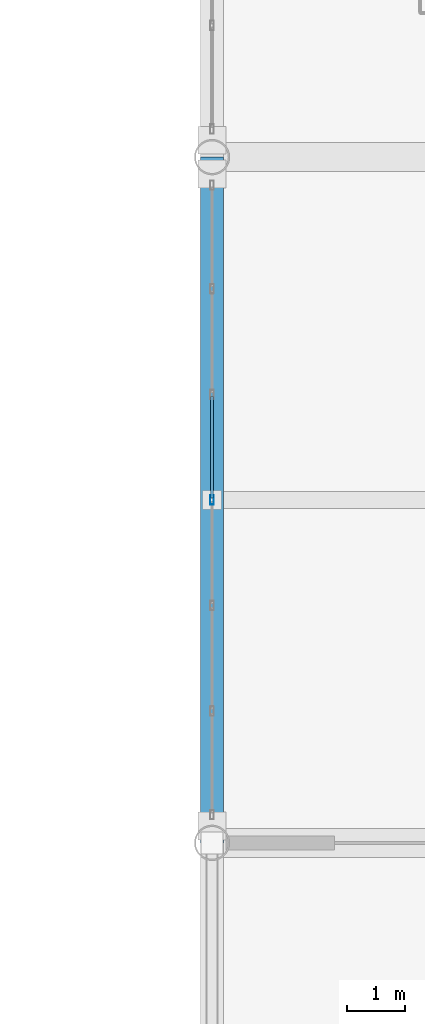
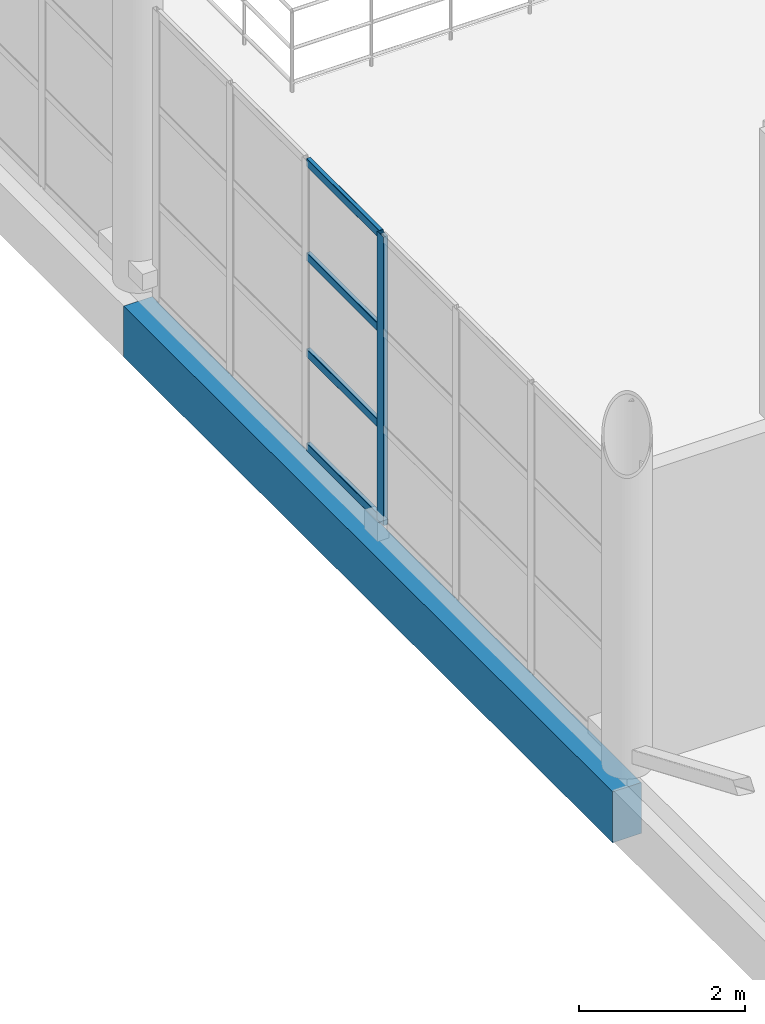
# One storey, part 50 of 175: 5 members, 1 beam, 1 element without a shape of its own.
"""IFC4 building model written with IfcOpenShell, lengths in metres."""

import ifcopenshell
import ifcopenshell.guid

model = None  # the IFC model being written
_history = None  # IfcOwnerHistory: only IFC2X3 demands one
_inside = {}  # id of a spatial element -> (the spatial element, [elements in it])
_under = {}  # id of a project, library or spatial element -> (it, [spatial elements below it])
_declared = {}  # id of a project -> (the project, [libraries it declares])
_typed = {}  # id of a type object -> (the type object, [elements of that type])
_made_of = {}  # id of a material, layer set ... -> (it, [elements and type objects made of it])


def new_model(schema):
    """Start an empty IFC model of exactly this schema.

    Asked for "IFC4X3", IfcOpenShell would pick the latest addendum, in which some entities
    have other attributes; the version numbers below select the first issue.
    IFC2X3 requires an IfcOwnerHistory on every rooted entity: one is made here for all.
    """
    global model, _history
    if schema == "IFC4X3":
        model = ifcopenshell.file(schema_version=(4, 3, 0, 0))
    else:
        model = ifcopenshell.file(schema=schema)
    _inside.clear()
    _under.clear()
    _declared.clear()
    _typed.clear()
    _made_of.clear()
    _history = None
    if model.schema == "IFC2X3":
        org = make("IfcOrganization", Name="unknown")
        user = make(
            "IfcPersonAndOrganization",
            ThePerson=make("IfcPerson", FamilyName="unknown"),
            TheOrganization=org,
        )
        app = make(
            "IfcApplication",
            ApplicationDeveloper=org,
            Version="unknown",
            ApplicationFullName="unknown",
            ApplicationIdentifier="unknown",
        )
        _history = make(
            "IfcOwnerHistory",
            OwningUser=user,
            OwningApplication=app,
            ChangeAction="ADDED",
            CreationDate=0,
        )
    return model


def make(cls, **values):
    """One entity of the class cls with the attributes given. An attribute that is None is left unset."""
    return model.create_entity(
        cls, **{name: value for name, value in values.items() if value is not None}
    )


def rooted(cls, **values):
    """An entity with a GlobalId (a new one), such as an element, a storey or a relation."""
    return make(cls, GlobalId=ifcopenshell.guid.new(), OwnerHistory=_history, **values)


def si_unit(unit_type, name, prefix=None):
    """IfcSIUnit, for example si_unit("LENGTHUNIT", "METRE", prefix="MILLI")."""
    return make("IfcSIUnit", UnitType=unit_type, Prefix=prefix, Name=name)


def assignment(units):
    """IfcUnitAssignment: the units of a project."""
    return None if units is None else make("IfcUnitAssignment", Units=units)


def point(xyz):
    """IfcCartesianPoint."""
    return None if xyz is None else make("IfcCartesianPoint", Coordinates=xyz)


def direction(xyz):
    """IfcDirection."""
    return None if xyz is None else make("IfcDirection", DirectionRatios=xyz)


def frame(location, z_axis=None, x_axis=None):
    """IfcAxis2Placement3D, a coordinate frame: its origin and axes. An axis left out is left unset."""
    return make(
        "IfcAxis2Placement3D",
        Location=point(location),
        Axis=direction(z_axis),
        RefDirection=direction(x_axis),
    )


def frame_2d(location, x_axis=None):
    """IfcAxis2Placement2D, a coordinate frame in the plane: its origin and x axis."""
    return make(
        "IfcAxis2Placement2D", Location=point(location), RefDirection=direction(x_axis)
    )


def origin():
    """The frame at (0, 0, 0) with its axes left unset."""
    return frame((0.0, 0.0, 0.0))


def origin_2d():
    """The frame at (0, 0) in the plane with its x axis left unset."""
    return frame_2d((0.0, 0.0))


def place(relative_to, where):
    """IfcLocalPlacement: puts the frame where relative to a parent placement (None: the world)."""
    return make(
        "IfcLocalPlacement", PlacementRelTo=relative_to, RelativePlacement=where
    )


def context(
    kind, dimensions, precision=None, world=None, true_north=None, identifier=None
):
    """IfcGeometricRepresentationContext, for example the 3D "Model" context."""
    return make(
        "IfcGeometricRepresentationContext",
        ContextIdentifier=identifier,
        ContextType=kind,
        CoordinateSpaceDimension=dimensions,
        Precision=precision,
        WorldCoordinateSystem=world,
        TrueNorth=true_north,
    )


def subcontext(parent, identifier, kind, view, scale=None):
    """IfcGeometricRepresentationSubContext, for example "Body" below "Model"."""
    return make(
        "IfcGeometricRepresentationSubContext",
        ContextIdentifier=identifier,
        ContextType=kind,
        ParentContext=parent,
        TargetScale=scale,
        TargetView=view,
    )


def project(units=None, contexts=None):
    """IfcProject with its units and contexts."""
    return rooted(
        "IfcProject",
        Name="project",
        RepresentationContexts=contexts,
        UnitsInContext=assignment(units),
    )


def spatial(cls, under=None, at=None, **own):
    """A site, building, storey or space (cls), placed at a placement, below another one or the project."""
    s = rooted(cls, ObjectPlacement=at, **own)
    if under is not None:
        _under.setdefault(under.id(), (under, []))[1].append(s)
    return s


def profile(cls, at=None, kind="AREA", **sizes):
    """A parametric profile (cls). Its sizes go by their IFC names, for example OverallWidth=200.0."""
    return make(cls, ProfileType=kind, Position=at, **sizes)


def rectangle(**sizes):
    """IfcRectangleProfileDef."""
    return profile("IfcRectangleProfileDef", **sizes)


def hollow_rectangle(**sizes):
    """IfcRectangleHollowProfileDef."""
    return profile("IfcRectangleHollowProfileDef", **sizes)


def extrude(swept, where, along, depth):
    """IfcExtrudedAreaSolid: the profile swept, set in the frame where, extruded along a direction by depth."""
    return make(
        "IfcExtrudedAreaSolid",
        SweptArea=swept,
        Position=where,
        ExtrudedDirection=direction(along),
        Depth=depth,
    )


def shape(context_of_items, identifier, shape_type, items):
    """IfcShapeRepresentation: the items that make up one representation, for example the "Body"."""
    return make(
        "IfcShapeRepresentation",
        ContextOfItems=context_of_items,
        RepresentationIdentifier=identifier,
        RepresentationType=shape_type,
        Items=items,
    )


def material(Name=None, Category=None):
    """IfcMaterial."""
    return make("IfcMaterial", Name=Name, Category=Category)


def material_profile(
    of_material, cross_section, Name=None, Category=None, Priority=None
):
    """IfcMaterialProfile: a cross section and its material."""
    return make(
        "IfcMaterialProfile",
        Name=Name,
        Material=of_material,
        Profile=cross_section,
        Priority=Priority,
        Category=Category,
    )


def profile_set(profiles, Name=None, composite=None):
    """IfcMaterialProfileSet."""
    return make(
        "IfcMaterialProfileSet",
        Name=Name,
        MaterialProfiles=profiles,
        CompositeProfile=composite,
    )


def made_of(thing, what):
    """Note that an element or type object is made of a material, layer set ...; save() writes the relation."""
    if what is not None:
        _made_of.setdefault(what.id(), (what, []))[1].append(thing)
    return thing


def type_object(cls, material=None, **own):
    """A type object (cls), such as IfcWallType, which elements share."""
    return made_of(rooted(cls, **own), material)


def element(
    cls,
    number,
    at=None,
    inside=None,
    cuts=None,
    type_object=None,
    material=None,
    context=None,
    identifier="Body",
    shape_type=None,
    held_by="IfcProductDefinitionShape",
    body=None,
    shapes=None,
    **own,
):
    """One element of the class cls, such as IfcWall. Its Tag is "e" and its number.

    at: its placement. inside: the storey or other place that contains it. cuts: it is an
    opening in that element (IfcRelVoidsElement). A single representation is given by context,
    identifier, shape_type and body (its items); several are given by shapes. held_by: the class
    of the entity that holds the representations. save() writes the other relations.
    """
    e = rooted(cls, Tag="e%d" % number, ObjectPlacement=at, **own)
    if body is not None:
        shapes = [shape(context, identifier, shape_type, body)]
    if shapes is not None:
        e.Representation = make(held_by, Representations=shapes)
    if inside is not None:
        _inside.setdefault(inside.id(), (inside, []))[1].append(e)
    if cuts is not None:
        rooted(
            "IfcRelVoidsElement", RelatingBuildingElement=cuts, RelatedOpeningElement=e
        )
    if type_object is not None:
        _typed.setdefault(type_object.id(), (type_object, []))[1].append(e)
    return made_of(e, material)


def aggregate(whole, parts):
    """IfcRelAggregates: a whole, such as a stair, and the parts it consists of."""
    return rooted("IfcRelAggregates", RelatingObject=whole, RelatedObjects=parts)


def save(model, path):
    """Write the relations noted so far, then the file.

    IfcRelAggregates (storeys below a building ...), IfcRelContainedInSpatialStructure (elements
    in a storey), IfcRelDefinesByType, IfcRelAssociatesMaterial and IfcRelDeclares: one each for
    every whole, place, type object, material and project.
    """
    for whole, parts in _under.values():
        aggregate(whole, parts)
    for where, things in _inside.values():
        rooted(
            "IfcRelContainedInSpatialStructure",
            RelatedElements=things,
            RelatingStructure=where,
        )
    for kind, things in _typed.values():
        rooted("IfcRelDefinesByType", RelatedObjects=things, RelatingType=kind)
    for what, things in _made_of.values():
        rooted("IfcRelAssociatesMaterial", RelatedObjects=things, RelatingMaterial=what)
    for by, libraries in _declared.values():
        rooted("IfcRelDeclares", RelatingContext=by, RelatedDefinitions=libraries)
    model.write(path)


model = new_model("IFC4")

# Units and contexts
model_context = context("Model", 3, precision=1e-05, world=origin(), true_north=direction((0.0, 1.0)))
body_context = subcontext(model_context, "Body", "Model", "MODEL_VIEW")
ifc_project = project(units=[si_unit("LENGTHUNIT", "METRE"), si_unit("AREAUNIT", "SQUARE_METRE"), si_unit("VOLUMEUNIT", "CUBIC_METRE"), si_unit("PLANEANGLEUNIT", "RADIAN"), si_unit("MASSUNIT", "GRAM", prefix="KILO")], contexts=[model_context])

# Site, building, storey
site_placement = place(None, origin())
site = spatial("IfcSite", under=ifc_project, at=site_placement, CompositionType="ELEMENT")
building_placement = place(site_placement, origin())
building = spatial("IfcBuilding", under=site, at=building_placement, Name="Brelvane Convention Centre", CompositionType="ELEMENT")
storey_placement = place(building_placement, frame((0.0, 0.0, 5.39990234375)))
storey = spatial("IfcBuildingStorey", under=building, at=storey_placement, Name="L01", CompositionType="ELEMENT", Elevation=5.39990234375)

# Curtain wall, members
ifc_material_1 = material(Name="Anodised Aluminium Alloy 6063-T6", Category="aluminium")
curtain_wall_type = type_object("IfcCurtainWallType", Name="Curtain Wall CW-CONC", PredefinedType="USERDEFINED", material=ifc_material_1)
curtain_wall_placement = place(storey_placement, origin())
curtain_wall = element("IfcCurtainWall", 1, at=curtain_wall_placement, inside=storey, type_object=curtain_wall_type, Name="Curtain Wall CW-CONC L01-GAL-ATRIUM-W-1", ObjectType="UNITISED", PredefinedType="USERDEFINED")
ifc_material_2 = material(Name="Anodised Aluminium Alloy 6063-T6", Category="aluminium")
ifc_material_profile_1 = material_profile(ifc_material_2, hollow_rectangle(XDim=0.06494140625, YDim=0.159912109375, WallThickness=0.00390625, InnerFilletRadius=0.00390625, OuterFilletRadius=0.008056640625, at=origin_2d()), Name="ALU-M 160x65x4.0")
ifc_profile_set_1 = profile_set([ifc_material_profile_1], Name="Anodised Aluminium Alloy 6063-T6")
member_type_1 = type_object("IfcMemberType", Name="Curtain Mullion CW-M3", PredefinedType="MULLION", material=ifc_profile_set_1)
member_1_placement = place(storey_placement, frame((142.800048828125, 46.5, 0.0), z_axis=(0.0, 0.0, 1.0), x_axis=(-1.0, 0.0, 0.0)))
member_1 = element("IfcMember", 2, at=member_1_placement, type_object=member_type_1, Name="CW-CONC mullion 4", PredefinedType="MULLION", context=body_context, shape_type="SweptSolid", body=[
    extrude(hollow_rectangle(XDim=0.06494140625, YDim=0.159912109375, WallThickness=0.00390625, InnerFilletRadius=0.00390625, OuterFilletRadius=0.008056640625, at=origin_2d()), origin(), (0.0, 0.0, 1.0), 4.25),
])
ifc_material_3 = material(Name="Anodised Aluminium Alloy 6063-T6", Category="aluminium")
ifc_material_profile_2 = material_profile(ifc_material_3, hollow_rectangle(XDim=0.06005859375, YDim=0.1201171875, WallThickness=0.00390625, InnerFilletRadius=0.00390625, OuterFilletRadius=0.008056640625, at=origin_2d()), Name="ALU-T 120x60x4.0")
ifc_profile_set_2 = profile_set([ifc_material_profile_2], Name="Anodised Aluminium Alloy 6063-T6")
member_type_2 = type_object("IfcMemberType", Name="Curtain Transom CW-T3", PredefinedType="USERDEFINED", material=ifc_profile_set_2)
member_2_placement = place(storey_placement, frame((142.800048828125, 46.532470703125, 0.030029296875), z_axis=(0.0, 1.0, 0.0), x_axis=(-1.0, 0.0, 0.0)))
member_2 = element("IfcMember", 3, at=member_2_placement, type_object=member_type_2, Name="CW-CONC transom 4.1", ObjectType="TRANSOM", PredefinedType="USERDEFINED", context=body_context, shape_type="SweptSolid", body=[
    extrude(hollow_rectangle(XDim=0.06005859375, YDim=0.1201171875, WallThickness=0.00390625, InnerFilletRadius=0.00390625, OuterFilletRadius=0.008056640625, at=origin_2d()), origin(), (0.0, 0.0, 1.0), 1.751708984375),
])
member_3_placement = place(storey_placement, frame((142.800048828125, 46.532470703125, 1.416748046875), z_axis=(0.0, 1.0, 0.0), x_axis=(-1.0, 0.0, 0.0)))
member_3 = element("IfcMember", 4, at=member_3_placement, type_object=member_type_2, Name="CW-CONC transom 4.2", ObjectType="TRANSOM", PredefinedType="USERDEFINED", context=body_context, shape_type="SweptSolid", body=[
    extrude(hollow_rectangle(XDim=0.06005859375, YDim=0.1201171875, WallThickness=0.00390625, InnerFilletRadius=0.00390625, OuterFilletRadius=0.008056640625, at=origin_2d()), origin(), (0.0, 0.0, 1.0), 1.751708984375),
])
member_4_placement = place(storey_placement, frame((142.800048828125, 46.532470703125, 2.83349609375), z_axis=(0.0, 1.0, 0.0), x_axis=(-1.0, 0.0, 0.0)))
member_4 = element("IfcMember", 5, at=member_4_placement, type_object=member_type_2, Name="CW-CONC transom 4.3", ObjectType="TRANSOM", PredefinedType="USERDEFINED", context=body_context, shape_type="SweptSolid", body=[
    extrude(hollow_rectangle(XDim=0.06005859375, YDim=0.1201171875, WallThickness=0.00390625, InnerFilletRadius=0.00390625, OuterFilletRadius=0.008056640625, at=origin_2d()), origin(), (0.0, 0.0, 1.0), 1.751708984375),
])
member_5_placement = place(storey_placement, frame((142.800048828125, 46.532470703125, 4.22021484375), z_axis=(0.0, 1.0, 0.0), x_axis=(-1.0, 0.0, 0.0)))
member_5 = element("IfcMember", 6, at=member_5_placement, type_object=member_type_2, Name="CW-CONC transom 4.4", ObjectType="TRANSOM", PredefinedType="USERDEFINED", context=body_context, shape_type="SweptSolid", body=[
    extrude(hollow_rectangle(XDim=0.06005859375, YDim=0.1201171875, WallThickness=0.00390625, InnerFilletRadius=0.00390625, OuterFilletRadius=0.008056640625, at=origin_2d()), origin(), (0.0, 0.0, 1.0), 1.751708984375),
])
aggregate(curtain_wall, [member_1, member_2, member_3, member_4, member_5])

# Beam
ifc_material_4 = material(Name="Concrete M40", Category="concrete")
ifc_material_profile_3 = material_profile(ifc_material_4, rectangle(XDim=0.39990234375, YDim=0.75, at=origin_2d()), Name="RC 400x750")
ifc_profile_set_3 = profile_set([ifc_material_profile_3], Name="Concrete M40")
beam_type = type_object("IfcBeamType", Name="RC Spandrel SP-RC1 (RC 400x750)", PredefinedType="SPANDREL", material=ifc_profile_set_3)
beam_placement = place(storey_placement, frame((142.800048828125, 40.60009765625, -0.704833984375), z_axis=(0.0, 1.0, 0.0), x_axis=(-1.0, 0.0, 0.0)))
element("IfcBeam", 7, at=beam_placement, inside=storey, type_object=beam_type, Name="L01 Girder 15/E-F", PredefinedType="SPANDREL", context=body_context, shape_type="SweptSolid", body=[
    extrude(rectangle(XDim=0.39990234375, YDim=0.75, at=origin_2d()), origin(), (0.0, 0.0, 1.0), 11.7998046875),
])

save(model, "model.ifc")
